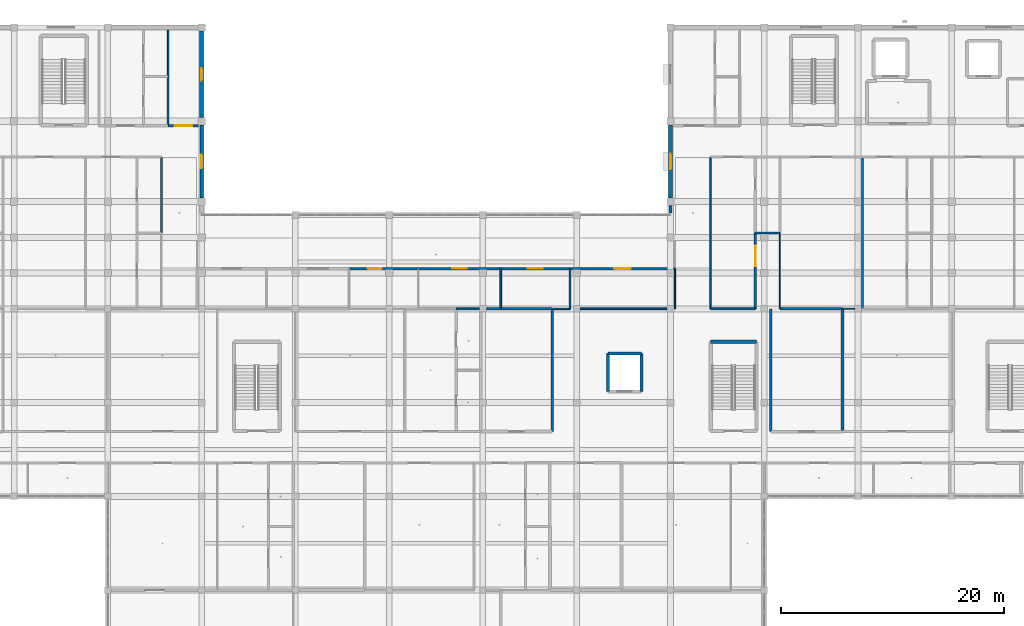
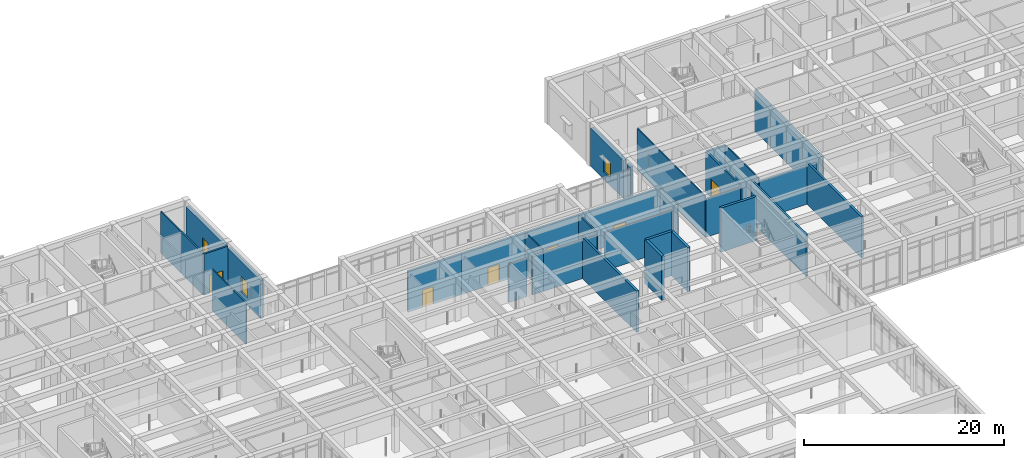
# One storey, part 87 of 157: 35 walls, 6 doors, 3 windows, 9 openings.
"""IFC4 building model written with IfcOpenShell, lengths in metres."""

from ifc_helpers import new_model, si_unit, direction, frame, frame_2d, origin, place, context, subcontext, project, spatial, rectangle, extrude, material, layer, layer_set, type_object, element, fill, save


model = new_model("IFC4")

# Units and contexts
model_context = context("Model", 3, precision=1e-05, world=origin(), true_north=direction((0.0, 1.0)))
body_context = subcontext(model_context, "Body", "Model", "MODEL_VIEW")
ifc_project = project(units=[si_unit("LENGTHUNIT", "METRE"), si_unit("AREAUNIT", "SQUARE_METRE"), si_unit("VOLUMEUNIT", "CUBIC_METRE"), si_unit("PLANEANGLEUNIT", "RADIAN"), si_unit("MASSUNIT", "GRAM", prefix="KILO")], contexts=[model_context])

# Site, building, storey
site_placement = place(None, origin())
site = spatial("IfcSite", under=ifc_project, at=site_placement, CompositionType="ELEMENT")
building_placement = place(site_placement, origin())
building = spatial("IfcBuilding", under=site, at=building_placement, Name="Varncliffe General Hospital", CompositionType="ELEMENT")
storey_placement = place(building_placement, frame((0.0, 0.0, 5.39990234375)))
storey = spatial("IfcBuildingStorey", under=building, at=storey_placement, Name="L01", CompositionType="ELEMENT", Elevation=5.39990234375)

# Wall, opening, window
ifc_material_1 = material(Name="Precast concrete C40/50 with insulated cream lime-cement stucco", Category="concrete")
ifc_layer_1 = layer(ifc_material_1, 0.3798828125)
ifc_layer_set_1 = layer_set([ifc_layer_1], Name="Precast concrete C40/50 with insulated cream lime-cement stucco")
wall_type_1 = type_object("IfcWallType", Name="Exterior Insulated Stucco Wall EW26 (380mm)", PredefinedType="SOLIDWALL", material=ifc_layer_set_1)
wall_1_placement = place(storey_placement, frame((109.199951171875, 109.52294921875, 0.0), z_axis=(0.0, 0.0, 1.0), x_axis=(0.0, 1.0, 0.0)))
wall_1 = element("IfcWall", 1, at=wall_1_placement, inside=storey, type_object=wall_type_1, Name="L01 Exterior Stucco Wall EW26-126", PredefinedType="SOLIDWALL", context=body_context, shape_type="SweptSolid", body=[
    extrude(rectangle(XDim=6.553955078125, YDim=0.3798828125, at=frame_2d((3.27685546875, 0.0))), origin(), (0.0, 0.0, 1.0), 4.68017578125),
])
opening_1_placement = place(wall_1_placement, frame((2.576904296875, 0.0, 0.89990234375)))
opening_1 = element("IfcOpeningElement", 2, at=opening_1_placement, cuts=wall_1, Name="Opening WN22", PredefinedType="OPENING", context=body_context, shape_type="SweptSolid", body=[
    extrude(rectangle(XDim=1.39990234375, YDim=1.949951171875, at=frame_2d((0.699951171875, 0.97509765625))), frame((0.0, 0.199951171875, 0.0), z_axis=(0.0, -1.0, 0.0), x_axis=(1.0, 0.0, 0.0)), (0.0, 0.0, 1.0), 0.39990234375),
])
ifc_material_2 = material(Name="Triple low-E argon insulated vision glazing", Category="glass")
window_type_1 = type_object("IfcWindowType", Name="Triple-Glazed Hospital Window WN22 (1400x1950)", PartitioningType="SINGLE_PANEL", PredefinedType="WINDOW", material=ifc_material_2)
window_1_placement = place(opening_1_placement, origin())
window_1 = element("IfcWindow", 3, at=window_1_placement, inside=storey, type_object=window_type_1, Name="L01 Hospital Window WN22-70", OverallHeight=1.949951171875, OverallWidth=1.39990234375, PartitioningType="SINGLE_PANEL", PredefinedType="WINDOW", context=body_context, shape_type="SweptSolid", body=[
    extrude(rectangle(XDim=1.39990234375, YDim=1.949951171875, at=frame_2d((0.699951171875, 0.97509765625))), frame((0.0, 0.030029296875, 0.0), z_axis=(0.0, -1.0, 0.0), x_axis=(1.0, 0.0, 0.0)), (0.0, 0.0, 1.0), 0.06005859375),
])
fill(opening_1, window_1)

# Wall
ifc_layer_2 = layer(ifc_material_1, 0.2900390625)
ifc_layer_set_2 = layer_set([ifc_layer_2], Name="Precast concrete C40/50 with insulated cream lime-cement stucco")
wall_type_2 = type_object("IfcWallType", Name="Exterior Insulated Stucco Wall EW31 (290mm)", PredefinedType="SOLIDWALL", material=ifc_layer_set_2)
wall_2_placement = place(storey_placement, frame((109.199951171875, 108.195068359375, 0.0), z_axis=(0.0, 0.0, 1.0), x_axis=(0.0, 1.0, 0.0)))
element("IfcWall", 4, at=wall_2_placement, inside=storey, type_object=wall_type_2, Name="L01 Exterior Stucco Wall EW31-125", PredefinedType="SOLIDWALL", context=body_context, shape_type="SweptSolid", body=[
    extrude(rectangle(XDim=0.681884765625, YDim=0.2900390625, at=frame_2d((0.3408203125, 0.0))), origin(), (0.0, 0.0, 1.0), 4.68017578125),
])

# Wall, opening, window
ifc_layer_3 = layer(ifc_material_1, 0.330078125)
ifc_layer_set_3 = layer_set([ifc_layer_3], Name="Precast concrete C40/50 with insulated cream lime-cement stucco")
wall_type_3 = type_object("IfcWallType", Name="Exterior Insulated Stucco Wall EW33 (330mm)", PredefinedType="SOLIDWALL", material=ifc_layer_set_3)
wall_3_placement = place(storey_placement, frame((67.199951171875, 116.076904296875, 0.0), z_axis=(0.0, 0.0, 1.0), x_axis=(0.0, -1.0, 0.0)))
wall_3 = element("IfcWall", 5, at=wall_3_placement, inside=storey, type_object=wall_type_3, Name="L01 Exterior Stucco Wall EW33-123", PredefinedType="SOLIDWALL", context=body_context, shape_type="SweptSolid", body=[
    extrude(rectangle(XDim=6.553955078125, YDim=0.330078125, at=frame_2d((3.27685546875, 0.0))), origin(), (0.0, 0.0, 1.0), 4.68017578125),
])
opening_2_placement = place(wall_3_placement, frame((2.652099609375, 0.0, 0.89990234375)))
opening_2 = element("IfcOpeningElement", 6, at=opening_2_placement, cuts=wall_3, Name="Opening WN49", PredefinedType="OPENING", context=body_context, shape_type="SweptSolid", body=[
    extrude(rectangle(XDim=1.25, YDim=1.949951171875, at=frame_2d((0.625, 0.97509765625))), frame((0.0, 0.175048828125, 0.0), z_axis=(0.0, -1.0, 0.0), x_axis=(1.0, 0.0, 0.0)), (0.0, 0.0, 1.0), 0.35009765625),
])
window_type_2 = type_object("IfcWindowType", Name="Triple-Glazed Hospital Window WN49 (1250x1950)", PartitioningType="SINGLE_PANEL", PredefinedType="WINDOW", material=ifc_material_2)
window_2_placement = place(opening_2_placement, origin())
window_2 = element("IfcWindow", 7, at=window_2_placement, inside=storey, type_object=window_type_2, Name="L01 Hospital Window WN49-69", OverallHeight=1.949951171875, OverallWidth=1.25, PartitioningType="SINGLE_PANEL", PredefinedType="WINDOW", context=body_context, shape_type="SweptSolid", body=[
    extrude(rectangle(XDim=1.25, YDim=1.949951171875, at=frame_2d((0.625, 0.97509765625))), frame((0.0, 0.030029296875, 0.0), z_axis=(0.0, -1.0, 0.0), x_axis=(1.0, 0.0, 0.0)), (0.0, 0.0, 1.0), 0.06005859375),
])
fill(opening_2, window_2)

ifc_layer_4 = layer(ifc_material_1, 0.35009765625)
ifc_layer_set_4 = layer_set([ifc_layer_4], Name="Precast concrete C40/50 with insulated cream lime-cement stucco")
wall_type_4 = type_object("IfcWallType", Name="Exterior Insulated Stucco Wall EW37 (350mm)", PredefinedType="SOLIDWALL", material=ifc_layer_set_4)
wall_4_placement = place(storey_placement, frame((67.199951171875, 124.47705078125, 0.0), z_axis=(0.0, 0.0, 1.0), x_axis=(0.0, -1.0, 0.0)))
wall_4 = element("IfcWall", 8, at=wall_4_placement, inside=storey, type_object=wall_type_4, Name="L01 Exterior Stucco Wall EW37-122", PredefinedType="SOLIDWALL", context=body_context, shape_type="SweptSolid", body=[
    extrude(rectangle(XDim=7.754150390625, YDim=0.35009765625, at=frame_2d((3.876953125, 0.0))), origin(), (0.0, 0.0, 1.0), 4.68017578125),
])
opening_3_placement = place(wall_4_placement, frame((3.326904296875, 0.0, 0.89990234375)))
opening_3 = element("IfcOpeningElement", 9, at=opening_3_placement, cuts=wall_4, Name="Opening WN41", PredefinedType="OPENING", context=body_context, shape_type="SweptSolid", body=[
    extrude(rectangle(XDim=1.10009765625, YDim=1.949951171875, at=frame_2d((0.550048828125, 0.97509765625))), frame((0.0, 0.18505859375, 0.0), z_axis=(0.0, -1.0, 0.0), x_axis=(1.0, 0.0, 0.0)), (0.0, 0.0, 1.0), 0.3701171875),
])
window_type_3 = type_object("IfcWindowType", Name="Triple-Glazed Hospital Window WN41 (1100x1950)", PartitioningType="SINGLE_PANEL", PredefinedType="WINDOW", material=ifc_material_2)
window_3_placement = place(opening_3_placement, origin())
window_3 = element("IfcWindow", 10, at=window_3_placement, inside=storey, type_object=window_type_3, Name="L01 Hospital Window WN41-68", OverallHeight=1.949951171875, OverallWidth=1.10009765625, PartitioningType="SINGLE_PANEL", PredefinedType="WINDOW", context=body_context, shape_type="SweptSolid", body=[
    extrude(rectangle(XDim=1.10009765625, YDim=1.949951171875, at=frame_2d((0.550048828125, 0.97509765625))), frame((0.0, 0.030029296875, 0.0), z_axis=(0.0, -1.0, 0.0), x_axis=(1.0, 0.0, 0.0)), (0.0, 0.0, 1.0), 0.06005859375),
])
fill(opening_3, window_3)

# Walls
ifc_material_3 = material(Name="Acoustic clinical gypsum stud partition assembly", Category="gypsum")
ifc_layer_5 = layer(ifc_material_3, 0.1298828125)
ifc_layer_set_5 = layer_set([ifc_layer_5], Name="Acoustic clinical gypsum stud partition assembly")
wall_type_5 = type_object("IfcWallType", Name="Interior Partitioning IW11 (130mm)", PredefinedType="PARTITIONING", material=ifc_layer_set_5)
wall_5_placement = place(storey_placement, frame((98.60009765625, 99.60009765625, 0.0), z_axis=(0.0, 0.0, 1.0), x_axis=(1.0, 0.0, 0.0)))
element("IfcWall", 11, at=wall_5_placement, inside=storey, type_object=wall_type_5, Name="L01 Interior Partition Wall IW11-578", PredefinedType="PARTITIONING", context=body_context, shape_type="SweptSolid", body=[
    extrude(rectangle(XDim=1.599853515625, YDim=0.1298828125, at=frame_2d((0.7998046875, 0.0))), origin(), (0.0, 0.0, 1.0), 4.68505859375),
])
wall_6_placement = place(storey_placement, frame((112.800048828125, 99.60009765625, 0.0), z_axis=(0.0, 0.0, 1.0), x_axis=(0.0, 1.0, 0.0)))
element("IfcWall", 12, at=wall_6_placement, inside=storey, type_object=wall_type_5, Name="L01 Interior Partition Wall IW11-793", PredefinedType="PARTITIONING", context=body_context, shape_type="SweptSolid", body=[
    extrude(rectangle(XDim=13.599853515625, YDim=0.1298828125, at=frame_2d((6.7998046875, 0.0))), origin(), (0.0, 0.0, 1.0), 5.050048828125),
])
ifc_layer_6 = layer(ifc_material_3, 0.169921875)
ifc_layer_set_6 = layer_set([ifc_layer_6], Name="Acoustic clinical gypsum stud partition assembly")
wall_type_6 = type_object("IfcWallType", Name="Interior Partitioning IW20 (170mm)", PredefinedType="PARTITIONING", material=ifc_layer_set_6)
wall_7_placement = place(storey_placement, frame((90.0, 99.60009765625, 0.0), z_axis=(0.0, 0.0, 1.0), x_axis=(1.0, 0.0, 0.0)))
element("IfcWall", 13, at=wall_7_placement, inside=storey, type_object=wall_type_6, Name="L01 Interior Partition Wall IW20-575", PredefinedType="PARTITIONING", context=body_context, shape_type="SweptSolid", body=[
    extrude(rectangle(XDim=2.0849609375, YDim=0.169921875, at=frame_2d((1.04248046875, 0.0))), origin(), (0.0, 0.0, 1.0), 4.68505859375),
])
wall_8_placement = place(storey_placement, frame((112.800048828125, 99.60009765625, 0.0), z_axis=(0.0, 0.0, 1.0), x_axis=(1.0, 0.0, 0.0)))
element("IfcWall", 14, at=wall_8_placement, inside=storey, type_object=wall_type_6, Name="L01 Interior Partition Wall IW20-580", PredefinedType="PARTITIONING", context=body_context, shape_type="SweptSolid", body=[
    extrude(rectangle(XDim=4.0, YDim=0.169921875, at=frame_2d((2.0, 0.0))), origin(), (0.0, 0.0, 1.0), 4.68505859375),
])
wall_9_placement = place(storey_placement, frame((100.199951171875, 99.60009765625, 0.0), z_axis=(0.0, 0.0, 1.0), x_axis=(0.0, 1.0, 0.0)))
element("IfcWall", 15, at=wall_9_placement, inside=storey, type_object=wall_type_6, Name="L01 Interior Partition Wall IW20-790", PredefinedType="PARTITIONING", context=body_context, shape_type="SweptSolid", body=[
    extrude(rectangle(XDim=3.599853515625, YDim=0.169921875, at=frame_2d((1.7998046875, 0.0))), origin(), (0.0, 0.0, 1.0), 5.050048828125),
])
wall_10_placement = place(storey_placement, frame((126.39990234375, 99.60009765625, 0.0), z_axis=(0.0, 0.0, 1.0), x_axis=(0.0, 1.0, 0.0)))
element("IfcWall", 16, at=wall_10_placement, inside=storey, type_object=wall_type_6, Name="L01 Interior Partition Wall IW20-810", PredefinedType="PARTITIONING", context=body_context, shape_type="SweptSolid", body=[
    extrude(rectangle(XDim=13.599853515625, YDim=0.169921875, at=frame_2d((6.7998046875, 0.0))), origin(), (0.0, 0.0, 1.0), 5.050048828125),
])
ifc_layer_7 = layer(ifc_material_3, 0.14990234375)
ifc_layer_set_7 = layer_set([ifc_layer_7], Name="Acoustic clinical gypsum stud partition assembly")
wall_type_7 = type_object("IfcWallType", Name="Interior Partitioning IW35 (150mm)", PredefinedType="PARTITIONING", material=ifc_layer_set_7)
wall_11_placement = place(storey_placement, frame((101.114990234375, 99.60009765625, 0.0), z_axis=(0.0, 0.0, 1.0), x_axis=(1.0, 0.0, 0.0)))
element("IfcWall", 17, at=wall_11_placement, inside=storey, type_object=wall_type_7, Name="L01 Interior Partition Wall IW35-579", PredefinedType="PARTITIONING", context=body_context, shape_type="SweptSolid", body=[
    extrude(rectangle(XDim=7.77001953125, YDim=0.14990234375, at=frame_2d((3.885009765625, 0.0))), origin(), (0.0, 0.0, 1.0), 4.68505859375),
])
wall_12_placement = place(storey_placement, frame((64.199951171875, 120.39990234375, 0.0), z_axis=(0.0, 0.0, 1.0), x_axis=(0.0, 1.0, 0.0)))
element("IfcWall", 18, at=wall_12_placement, inside=storey, type_object=wall_type_7, Name="L01 Interior Partition Wall IW35-759", PredefinedType="PARTITIONING", context=body_context, shape_type="SweptSolid", body=[
    extrude(rectangle(XDim=4.14013671875, YDim=0.14990234375, at=frame_2d((2.070068359375, 0.0))), origin(), (0.0, 0.0, 1.0), 5.050048828125),
])
wall_13_placement = place(storey_placement, frame((94.0, 99.60009765625, 0.0), z_axis=(0.0, 0.0, 1.0), x_axis=(0.0, 1.0, 0.0)))
element("IfcWall", 19, at=wall_13_placement, inside=storey, type_object=wall_type_7, Name="L01 Interior Partition Wall IW35-784", PredefinedType="PARTITIONING", context=body_context, shape_type="SweptSolid", body=[
    extrude(rectangle(XDim=3.599853515625, YDim=0.14990234375, at=frame_2d((1.7998046875, 0.0))), origin(), (0.0, 0.0, 1.0), 5.050048828125),
])
ifc_layer_8 = layer(ifc_material_3, 0.110107421875)
ifc_layer_set_8 = layer_set([ifc_layer_8], Name="Acoustic clinical gypsum stud partition assembly")
wall_type_8 = type_object("IfcWallType", Name="Interior Partitioning IW65 (110mm)", PredefinedType="PARTITIONING", material=ifc_layer_set_8)
wall_14_placement = place(storey_placement, frame((124.60009765625, 99.60009765625, 0.0), z_axis=(0.0, 0.0, 1.0), x_axis=(1.0, 0.0, 0.0)))
element("IfcWall", 20, at=wall_14_placement, inside=storey, type_object=wall_type_8, Name="L01 Interior Partition Wall IW65-582", PredefinedType="PARTITIONING", context=body_context, shape_type="SweptSolid", body=[
    extrude(rectangle(XDim=1.0849609375, YDim=0.110107421875, at=frame_2d((0.54248046875, 0.0))), origin(), (0.0, 0.0, 1.0), 4.68505859375),
])
wall_15_placement = place(storey_placement, frame((109.60009765625, 99.60009765625, 0.0), z_axis=(0.0, 0.0, 1.0), x_axis=(0.0, 1.0, 0.0)))
element("IfcWall", 21, at=wall_15_placement, inside=storey, type_object=wall_type_8, Name="L01 Interior Partition Wall IW65-792", PredefinedType="PARTITIONING", context=body_context, shape_type="SweptSolid", body=[
    extrude(rectangle(XDim=3.599853515625, YDim=0.110107421875, at=frame_2d((1.7998046875, 0.0))), origin(), (0.0, 0.0, 1.0), 5.050048828125),
])
wall_16_placement = place(storey_placement, frame((119.0, 99.60009765625, 0.0), z_axis=(0.0, 0.0, 1.0), x_axis=(0.0, 1.0, 0.0)))
element("IfcWall", 22, at=wall_16_placement, inside=storey, type_object=wall_type_8, Name="L01 Interior Partition Wall IW65-807", PredefinedType="PARTITIONING", context=body_context, shape_type="SweptSolid", body=[
    extrude(rectangle(XDim=6.7998046875, YDim=0.110107421875, at=frame_2d((3.39990234375, 0.0))), origin(), (0.0, 0.0, 1.0), 5.050048828125),
])
ifc_material_4 = material(Name="Fire-rated gypsum and mineral-wool partition assembly", Category="gypsum")
ifc_layer_9 = layer(ifc_material_4, 0.25)
ifc_layer_set_9 = layer_set([ifc_layer_9], Name="Fire-rated gypsum and mineral-wool partition assembly")
wall_type_9 = type_object("IfcWallType", Name="Interior Partitioning PW38 (250mm)", PredefinedType="PARTITIONING", material=ifc_layer_set_9)
wall_17_placement = place(storey_placement, frame((94.0, 99.60009765625, 0.0), z_axis=(0.0, 0.0, 1.0), x_axis=(1.0, 0.0, 0.0)))
element("IfcWall", 23, at=wall_17_placement, inside=storey, type_object=wall_type_9, Name="L01 Interior Partition Wall PW38-577", PredefinedType="PARTITIONING", context=body_context, shape_type="SweptSolid", body=[
    extrude(rectangle(XDim=4.60009765625, YDim=0.25, at=frame_2d((2.300048828125, 0.0))), origin(), (0.0, 0.0, 1.0), 4.68505859375),
])
wall_18_placement = place(storey_placement, frame((119.0, 99.60009765625, 0.0), z_axis=(0.0, 0.0, 1.0), x_axis=(1.0, 0.0, 0.0)))
element("IfcWall", 24, at=wall_18_placement, inside=storey, type_object=wall_type_9, Name="L01 Interior Partition Wall PW38-581", PredefinedType="PARTITIONING", context=body_context, shape_type="SweptSolid", body=[
    extrude(rectangle(XDim=5.60009765625, YDim=0.25, at=frame_2d((2.800048828125, 0.0))), origin(), (0.0, 0.0, 1.0), 4.68505859375),
])
for number, where, z_axis, x_axis, name in (
    (25, (98.60009765625, 88.60009765625, 0.0), (0.0, 0.0, 1.0), (0.0, 1.0, 0.0), "L01 Interior Partition Wall PW38-789"),
    (26, (124.60009765625, 88.60009765625, 0.0), (0.0, 0.0, 1.0), (0.0, 1.0, 0.0), "L01 Interior Partition Wall PW38-809"),
):
    element("IfcWall", number, at=place(storey_placement, frame(where, z_axis=z_axis, x_axis=x_axis)), inside=storey, type_object=wall_type_9, Name=name, PredefinedType="PARTITIONING", context=body_context, shape_type="SweptSolid", body=[
        extrude(rectangle(XDim=11.0, YDim=0.25, at=frame_2d((5.5, 0.0))), origin(), (0.0, 0.0, 1.0), 5.050048828125),
    ])
ifc_layer_10 = layer(ifc_material_4, 0.22998046875)
ifc_layer_set_10 = layer_set([ifc_layer_10], Name="Fire-rated gypsum and mineral-wool partition assembly")
wall_type_10 = type_object("IfcWallType", Name="Interior Partitioning PW48 (230mm)", PredefinedType="PARTITIONING", material=ifc_layer_set_10)
wall_19_placement = place(storey_placement, frame((92.715087890625, 99.60009765625, 0.0), z_axis=(0.0, 0.0, 1.0), x_axis=(1.0, 0.0, 0.0)))
element("IfcWall", 27, at=wall_19_placement, inside=storey, type_object=wall_type_10, Name="L01 Interior Partition Wall PW48-576", PredefinedType="PARTITIONING", context=body_context, shape_type="SweptSolid", body=[
    extrude(rectangle(XDim=1.284912109375, YDim=0.22998046875, at=frame_2d((0.642578125, 0.0))), origin(), (0.0, 0.0, 1.0), 4.68505859375),
])
wall_20_placement = place(storey_placement, frame((118.199951171875, 88.60009765625, 0.0), z_axis=(0.0, 0.0, 1.0), x_axis=(0.0, 1.0, 0.0)))
element("IfcWall", 28, at=wall_20_placement, inside=storey, type_object=wall_type_10, Name="L01 Interior Partition Wall PW48-806", PredefinedType="PARTITIONING", context=body_context, shape_type="SweptSolid", body=[
    extrude(rectangle(XDim=11.0, YDim=0.22998046875, at=frame_2d((5.5, 0.0))), origin(), (0.0, 0.0, 1.0), 5.050048828125),
])

# Wall, opening, door
ifc_layer_11 = layer(ifc_material_4, 0.199951171875)
ifc_layer_set_11 = layer_set([ifc_layer_11], Name="Fire-rated gypsum and mineral-wool partition assembly")
wall_type_11 = type_object("IfcWallType", Name="Interior Partitioning PW63 (200mm)", PredefinedType="PARTITIONING", material=ifc_layer_set_11)
wall_21_placement = place(storey_placement, frame((80.39990234375, 103.199951171875, 0.0), z_axis=(0.0, 0.0, 1.0), x_axis=(1.0, 0.0, 0.0)))
wall_21 = element("IfcWall", 29, at=wall_21_placement, inside=storey, type_object=wall_type_11, Name="L01 Interior Partition Wall PW63-600", PredefinedType="PARTITIONING", context=body_context, shape_type="SweptSolid", body=[
    extrude(rectangle(XDim=6.2001953125, YDim=0.199951171875, at=frame_2d((3.10009765625, 0.0))), origin(), (0.0, 0.0, 1.0), 5.050048828125),
])
opening_4_placement = place(wall_21_placement, frame((1.67041015625, 0.0, 0.0)))
opening_4 = element("IfcOpeningElement", 30, at=opening_4_placement, cuts=wall_21, Name="Opening DC44", PredefinedType="OPENING", context=body_context, shape_type="SweptSolid", body=[
    extrude(rectangle(XDim=1.25, YDim=2.14990234375, at=frame_2d((0.625, 1.074951171875))), frame((0.0, 0.10986328125, 0.0), z_axis=(0.0, -1.0, 0.0), x_axis=(1.0, 0.0, 0.0)), (0.0, 0.0, 1.0), 0.219970703125),
])
ifc_material_5 = material(Name="Fire-rated hospital steel-frame vision-panel door", Category="steel")
door_type_1 = type_object("IfcDoorType", Name="Interior Hospital Door DC44 (1250x2150)", OperationType="NOTDEFINED", PredefinedType="DOOR", material=ifc_material_5)
door_1_placement = place(opening_4_placement, frame((1.25, 0.0, 0.0), z_axis=(0.0, 0.0, 1.0), x_axis=(-1.0, 0.0, 0.0)))
door_1 = element("IfcDoor", 31, at=door_1_placement, inside=storey, type_object=door_type_1, Name="L01 General Medical Inpatient Room 191 Door", OperationType="SINGLE_SWING_RIGHT", OverallHeight=2.14990234375, OverallWidth=1.25, PredefinedType="DOOR", context=body_context, shape_type="SweptSolid", body=[
    extrude(rectangle(XDim=1.25, YDim=2.14990234375, at=frame_2d((0.625, 1.074951171875))), frame((0.0, 0.02490234375, 0.0), z_axis=(0.0, -1.0, 0.0), x_axis=(1.0, 0.0, 0.0)), (0.0, 0.0, 1.0), 0.050048828125),
])
fill(opening_4, door_1)

wall_22_placement = place(storey_placement, frame((86.60009765625, 103.199951171875, 0.0), z_axis=(0.0, 0.0, 1.0), x_axis=(1.0, 0.0, 0.0)))
wall_22 = element("IfcWall", 32, at=wall_22_placement, inside=storey, type_object=wall_type_11, Name="L01 Interior Partition Wall PW63-601", PredefinedType="PARTITIONING", context=body_context, shape_type="SweptSolid", body=[
    extrude(rectangle(XDim=7.39990234375, YDim=0.199951171875, at=frame_2d((3.699951171875, 0.0))), origin(), (0.0, 0.0, 1.0), 5.050048828125),
])
opening_5_placement = place(wall_22_placement, frame((3.050048828125, 0.0, 0.0)))
opening_5 = element("IfcOpeningElement", 33, at=opening_5_placement, cuts=wall_22, Name="Opening DC88", PredefinedType="OPENING", context=body_context, shape_type="SweptSolid", body=[
    extrude(rectangle(XDim=1.300048828125, YDim=2.199951171875, at=frame_2d((0.64990234375, 1.10009765625))), frame((0.0, 0.10986328125, 0.0), z_axis=(0.0, -1.0, 0.0), x_axis=(1.0, 0.0, 0.0)), (0.0, 0.0, 1.0), 0.219970703125),
])
door_type_2 = type_object("IfcDoorType", Name="Interior Hospital Door DC88 (1300x2200)", OperationType="NOTDEFINED", PredefinedType="DOOR", material=ifc_material_5)
door_2_placement = place(opening_5_placement, frame((1.300048828125, 0.0, 0.0), z_axis=(0.0, 0.0, 1.0), x_axis=(-1.0, 0.0, 0.0)))
door_2 = element("IfcDoor", 34, at=door_2_placement, inside=storey, type_object=door_type_2, Name="L01 Ward Nurse Station and Medication Room 192 Door", OperationType="SINGLE_SWING_LEFT", OverallHeight=2.199951171875, OverallWidth=1.300048828125, PredefinedType="DOOR", context=body_context, shape_type="SweptSolid", body=[
    extrude(rectangle(XDim=1.300048828125, YDim=2.199951171875, at=frame_2d((0.64990234375, 1.10009765625))), frame((0.0, 0.02490234375, 0.0), z_axis=(0.0, -1.0, 0.0), x_axis=(1.0, 0.0, 0.0)), (0.0, 0.0, 1.0), 0.050048828125),
])
fill(opening_5, door_2)

wall_23_placement = place(storey_placement, frame((94.0, 103.199951171875, 0.0), z_axis=(0.0, 0.0, 1.0), x_axis=(1.0, 0.0, 0.0)))
wall_23 = element("IfcWall", 35, at=wall_23_placement, inside=storey, type_object=wall_type_11, Name="L01 Interior Partition Wall PW63-602", PredefinedType="PARTITIONING", context=body_context, shape_type="SweptSolid", body=[
    extrude(rectangle(XDim=6.199951171875, YDim=0.199951171875, at=frame_2d((3.10009765625, 0.0))), origin(), (0.0, 0.0, 1.0), 5.050048828125),
])
opening_6_placement = place(wall_23_placement, frame((2.425048828125, 0.0, 0.0)))
opening_6 = element("IfcOpeningElement", 36, at=opening_6_placement, cuts=wall_23, Name="Opening DC85", PredefinedType="OPENING", context=body_context, shape_type="SweptSolid", body=[
    extrude(rectangle(XDim=1.35009765625, YDim=2.199951171875, at=frame_2d((0.675048828125, 1.10009765625))), frame((0.0, 0.10986328125, 0.0), z_axis=(0.0, -1.0, 0.0), x_axis=(1.0, 0.0, 0.0)), (0.0, 0.0, 1.0), 0.219970703125),
])
door_type_3 = type_object("IfcDoorType", Name="Interior Hospital Door DC85 (1350x2200)", OperationType="NOTDEFINED", PredefinedType="DOOR", material=ifc_material_5)
door_3_placement = place(opening_6_placement, frame((1.35009765625, 0.0, 0.0), z_axis=(0.0, 0.0, 1.0), x_axis=(-1.0, 0.0, 0.0)))
door_3 = element("IfcDoor", 37, at=door_3_placement, inside=storey, type_object=door_type_3, Name="L01 General Medical Inpatient Room 193 Door", OperationType="SINGLE_SWING_RIGHT", OverallHeight=2.199951171875, OverallWidth=1.35009765625, PredefinedType="DOOR", context=body_context, shape_type="SweptSolid", body=[
    extrude(rectangle(XDim=1.35009765625, YDim=2.199951171875, at=frame_2d((0.675048828125, 1.10009765625))), frame((0.0, 0.02490234375, 0.0), z_axis=(0.0, -1.0, 0.0), x_axis=(1.0, 0.0, 0.0)), (0.0, 0.0, 1.0), 0.050048828125),
])
fill(opening_6, door_3)

wall_24_placement = place(storey_placement, frame((100.199951171875, 103.199951171875, 0.0), z_axis=(0.0, 0.0, 1.0), x_axis=(1.0, 0.0, 0.0)))
wall_24 = element("IfcWall", 38, at=wall_24_placement, inside=storey, type_object=wall_type_11, Name="L01 Interior Partition Wall PW63-603", PredefinedType="PARTITIONING", context=body_context, shape_type="SweptSolid", body=[
    extrude(rectangle(XDim=9.400146484375, YDim=0.199951171875, at=frame_2d((4.7001953125, 0.0))), origin(), (0.0, 0.0, 1.0), 5.050048828125),
])
opening_7_placement = place(wall_24_placement, frame((3.97509765625, 0.0, 0.0)))
opening_7 = element("IfcOpeningElement", 39, at=opening_7_placement, cuts=wall_24, Name="Opening DC66", PredefinedType="OPENING", context=body_context, shape_type="SweptSolid", body=[
    extrude(rectangle(XDim=1.449951171875, YDim=2.25, at=frame_2d((0.72509765625, 1.125))), frame((0.0, 0.10986328125, 0.0), z_axis=(0.0, -1.0, 0.0), x_axis=(1.0, 0.0, 0.0)), (0.0, 0.0, 1.0), 0.219970703125),
])
door_type_4 = type_object("IfcDoorType", Name="Interior Hospital Door DC66 (1450x2250)", OperationType="NOTDEFINED", PredefinedType="DOOR", material=ifc_material_5)
door_4_placement = place(opening_7_placement, frame((1.449951171875, 0.0, 0.0), z_axis=(0.0, 0.0, 1.0), x_axis=(-1.0, 0.0, 0.0)))
door_4 = element("IfcDoor", 40, at=door_4_placement, inside=storey, type_object=door_type_4, Name="L01 Ward Nurse Station and Medication Room 194 Door", OperationType="SINGLE_SWING_LEFT", OverallHeight=2.25, OverallWidth=1.449951171875, PredefinedType="DOOR", context=body_context, shape_type="SweptSolid", body=[
    extrude(rectangle(XDim=1.449951171875, YDim=2.25, at=frame_2d((0.72509765625, 1.125))), frame((0.0, 0.02490234375, 0.0), z_axis=(0.0, -1.0, 0.0), x_axis=(1.0, 0.0, 0.0)), (0.0, 0.0, 1.0), 0.050048828125),
])
fill(opening_7, door_4)

wall_25_placement = place(storey_placement, frame((64.199951171875, 116.0, 0.0), z_axis=(0.0, 0.0, 1.0), x_axis=(1.0, 0.0, 0.0)))
wall_25 = element("IfcWall", 41, at=wall_25_placement, inside=storey, type_object=wall_type_11, Name="L01 Interior Partition Wall PW63-647", PredefinedType="PARTITIONING", context=body_context, shape_type="SweptSolid", body=[
    extrude(rectangle(XDim=2.739990234375, YDim=0.199951171875, at=frame_2d((1.3701171875, 0.0))), origin(), (0.0, 0.0, 1.0), 5.050048828125),
])
opening_8_placement = place(wall_25_placement, frame((0.594970703125, 0.0, 0.0)))
opening_8 = element("IfcOpeningElement", 42, at=opening_8_placement, cuts=wall_25, Name="Opening DC67", PredefinedType="OPENING", context=body_context, shape_type="SweptSolid", body=[
    extrude(rectangle(XDim=1.550048828125, YDim=2.25, at=frame_2d((0.77490234375, 1.125))), frame((0.0, 0.10986328125, 0.0), z_axis=(0.0, -1.0, 0.0), x_axis=(1.0, 0.0, 0.0)), (0.0, 0.0, 1.0), 0.219970703125),
])
door_type_5 = type_object("IfcDoorType", Name="Interior Hospital Door DC67 (1550x2250)", OperationType="NOTDEFINED", PredefinedType="DOOR", material=ifc_material_5)
door_5_placement = place(opening_8_placement, origin())
door_5 = element("IfcDoor", 43, at=door_5_placement, inside=storey, type_object=door_type_5, Name="L01 Ward Nurse Station and Medication Room 174 Door", OperationType="SINGLE_SWING_LEFT", OverallHeight=2.25, OverallWidth=1.550048828125, PredefinedType="DOOR", context=body_context, shape_type="SweptSolid", body=[
    extrude(rectangle(XDim=1.550048828125, YDim=2.25, at=frame_2d((0.77490234375, 1.125))), frame((0.0, 0.02490234375, 0.0), z_axis=(0.0, -1.0, 0.0), x_axis=(1.0, 0.0, 0.0)), (0.0, 0.0, 1.0), 0.050048828125),
])
fill(opening_8, door_5)

wall_26_placement = place(storey_placement, frame((116.800048828125, 99.60009765625, 0.0), z_axis=(0.0, 0.0, 1.0), x_axis=(0.0, 1.0, 0.0)))
wall_26 = element("IfcWall", 44, at=wall_26_placement, inside=storey, type_object=wall_type_11, Name="L01 Interior Partition Wall PW63-799", PredefinedType="PARTITIONING", context=body_context, shape_type="SweptSolid", body=[
    extrude(rectangle(XDim=6.7998046875, YDim=0.199951171875, at=frame_2d((3.39990234375, 0.0))), origin(), (0.0, 0.0, 1.0), 5.050048828125),
])
opening_9_placement = place(wall_26_placement, frame((3.81591796875, 0.0, 0.0)))
opening_9 = element("IfcOpeningElement", 45, at=opening_9_placement, cuts=wall_26, Name="Opening DC38", PredefinedType="OPENING", context=body_context, shape_type="SweptSolid", body=[
    extrude(rectangle(XDim=1.85009765625, YDim=2.300048828125, at=frame_2d((0.925048828125, 1.14990234375))), frame((0.0, 0.10986328125, 0.0), z_axis=(0.0, -1.0, 0.0), x_axis=(1.0, 0.0, 0.0)), (0.0, 0.0, 1.0), 0.219970703125),
])
door_type_6 = type_object("IfcDoorType", Name="Interior Hospital Door DC38 (1850x2300)", OperationType="NOTDEFINED", PredefinedType="DOOR", material=ifc_material_5)
door_6_placement = place(opening_9_placement, frame((1.85009765625, 0.0, 0.0), z_axis=(0.0, 0.0, 1.0), x_axis=(-1.0, 0.0, 0.0)))
door_6 = element("IfcDoor", 46, at=door_6_placement, inside=storey, type_object=door_type_6, Name="L01 Patient Medication and Hygiene Bay 151 Door", OperationType="SINGLE_SWING_RIGHT", OverallHeight=2.300048828125, OverallWidth=1.85009765625, PredefinedType="DOOR", context=body_context, shape_type="SweptSolid", body=[
    extrude(rectangle(XDim=1.85009765625, YDim=2.300048828125, at=frame_2d((0.925048828125, 1.14990234375))), frame((0.0, 0.02490234375, 0.0), z_axis=(0.0, -1.0, 0.0), x_axis=(1.0, 0.0, 0.0)), (0.0, 0.0, 1.0), 0.050048828125),
])
fill(opening_9, door_6)

# Walls
ifc_material_6 = material(Name="Moisture-resistant plumbing chase wall assembly", Category="gypsum")
ifc_layer_12 = layer(ifc_material_6, 0.18994140625)
ifc_layer_set_12 = layer_set([ifc_layer_12], Name="Moisture-resistant plumbing chase wall assembly")
wall_type_12 = type_object("IfcWallType", Name="Interior Plumbingwall MW17 (190mm)", PredefinedType="PLUMBINGWALL", material=ifc_layer_set_12)
wall_27_placement = place(storey_placement, frame((64.199951171875, 116.0, 0.0), z_axis=(0.0, 0.0, 1.0), x_axis=(0.0, 1.0, 0.0)))
element("IfcWall", 47, at=wall_27_placement, inside=storey, type_object=wall_type_12, Name="L01 Interior Plumbing Wall MW17-758", PredefinedType="PLUMBINGWALL", context=body_context, shape_type="SweptSolid", body=[
    extrude(rectangle(XDim=4.39990234375, YDim=0.18994140625, at=frame_2d((2.199951171875, 0.0))), origin(), (0.0, 0.0, 1.0), 5.050048828125),
])
ifc_layer_13 = layer(ifc_material_6, 0.159912109375)
ifc_layer_set_13 = layer_set([ifc_layer_13], Name="Moisture-resistant plumbing chase wall assembly")
wall_type_13 = type_object("IfcWallType", Name="Interior Plumbingwall MW31 (160mm)", PredefinedType="PLUMBINGWALL", material=ifc_layer_set_13)
wall_28_placement = place(storey_placement, frame((116.800048828125, 106.39990234375, 0.0), z_axis=(0.0, 0.0, 1.0), x_axis=(1.0, 0.0, 0.0)))
element("IfcWall", 48, at=wall_28_placement, inside=storey, type_object=wall_type_13, Name="L01 Interior Plumbing Wall MW31-609", PredefinedType="PLUMBINGWALL", context=body_context, shape_type="SweptSolid", body=[
    extrude(rectangle(XDim=2.199951171875, YDim=0.159912109375, at=frame_2d((1.10009765625, 0.0))), origin(), (0.0, 0.0, 1.0), 5.050048828125),
])
wall_29_placement = place(storey_placement, frame((63.60009765625, 106.39990234375, 0.0), z_axis=(0.0, 0.0, 1.0), x_axis=(0.0, 1.0, 0.0)))
element("IfcWall", 49, at=wall_29_placement, inside=storey, type_object=wall_type_13, Name="L01 Interior Plumbing Wall MW31-757", PredefinedType="PLUMBINGWALL", context=body_context, shape_type="SweptSolid", body=[
    extrude(rectangle(XDim=6.800048828125, YDim=0.159912109375, at=frame_2d((3.39990234375, 0.0))), origin(), (0.0, 0.0, 1.0), 5.050048828125),
])
ifc_material_7 = material(Name="Concrete C40/50 (CSA A23.1 40 MPa)", Category="concrete")
ifc_layer_14 = layer(ifc_material_7, 0.300048828125)
ifc_layer_set_14 = layer_set([ifc_layer_14], Name="Concrete C40/50 (CSA A23.1 40 MPa)")
wall_type_14 = type_object("IfcWallType", Name="Reinforced Concrete Core Shear Wall CW12 (300mm)", PredefinedType="SHEAR", material=ifc_layer_set_14)
wall_30_placement = place(storey_placement, frame((116.89990234375, 96.64990234375, 0.0), z_axis=(0.0, 0.0, 1.0), x_axis=(-1.0, 0.0, 0.0)))
element("IfcWall", 50, at=wall_30_placement, inside=storey, type_object=wall_type_14, Name="L01 ST06 Core Shear Wall F", PredefinedType="SHEAR", context=body_context, shape_type="SweptSolid", body=[
    extrude(rectangle(XDim=4.099853515625, YDim=0.300048828125, at=frame_2d((2.0498046875, 0.0))), origin(), (0.0, 0.0, 1.0), 5.400146484375),
])
wall_31_placement = place(storey_placement, frame((106.60009765625, 92.199951171875, 0.0), z_axis=(0.0, 0.0, 1.0), x_axis=(0.0, 1.0, 0.0)))
element("IfcWall", 51, at=wall_31_placement, inside=storey, type_object=wall_type_14, Name="L01 LF07 Elevator Shaft Wall East", PredefinedType="SHEAR", context=body_context, shape_type="SweptSolid", body=[
    extrude(rectangle(XDim=3.400146484375, YDim=0.300048828125, at=frame_2d((1.7001953125, 0.0))), origin(), (0.0, 0.0, 1.0), 5.400146484375),
])
wall_32_placement = place(storey_placement, frame((106.60009765625, 95.60009765625, 0.0), z_axis=(0.0, 0.0, 1.0), x_axis=(-1.0, 0.0, 0.0)))
element("IfcWall", 52, at=wall_32_placement, inside=storey, type_object=wall_type_14, Name="L01 LF07 Elevator Shaft Wall North", PredefinedType="SHEAR", context=body_context, shape_type="SweptSolid", body=[
    extrude(rectangle(XDim=3.0, YDim=0.300048828125, at=frame_2d((1.5, 0.0))), origin(), (0.0, 0.0, 1.0), 5.400146484375),
])
wall_33_placement = place(storey_placement, frame((103.60009765625, 95.60009765625, 0.0), z_axis=(0.0, 0.0, 1.0), x_axis=(0.0, -1.0, 0.0)))
element("IfcWall", 53, at=wall_33_placement, inside=storey, type_object=wall_type_14, Name="L01 LF07 Elevator Shaft Wall West", PredefinedType="SHEAR", context=body_context, shape_type="SweptSolid", body=[
    extrude(rectangle(XDim=3.400146484375, YDim=0.300048828125, at=frame_2d((1.7001953125, 0.0))), origin(), (0.0, 0.0, 1.0), 5.400146484375),
])

save(model, "model.ifc")
